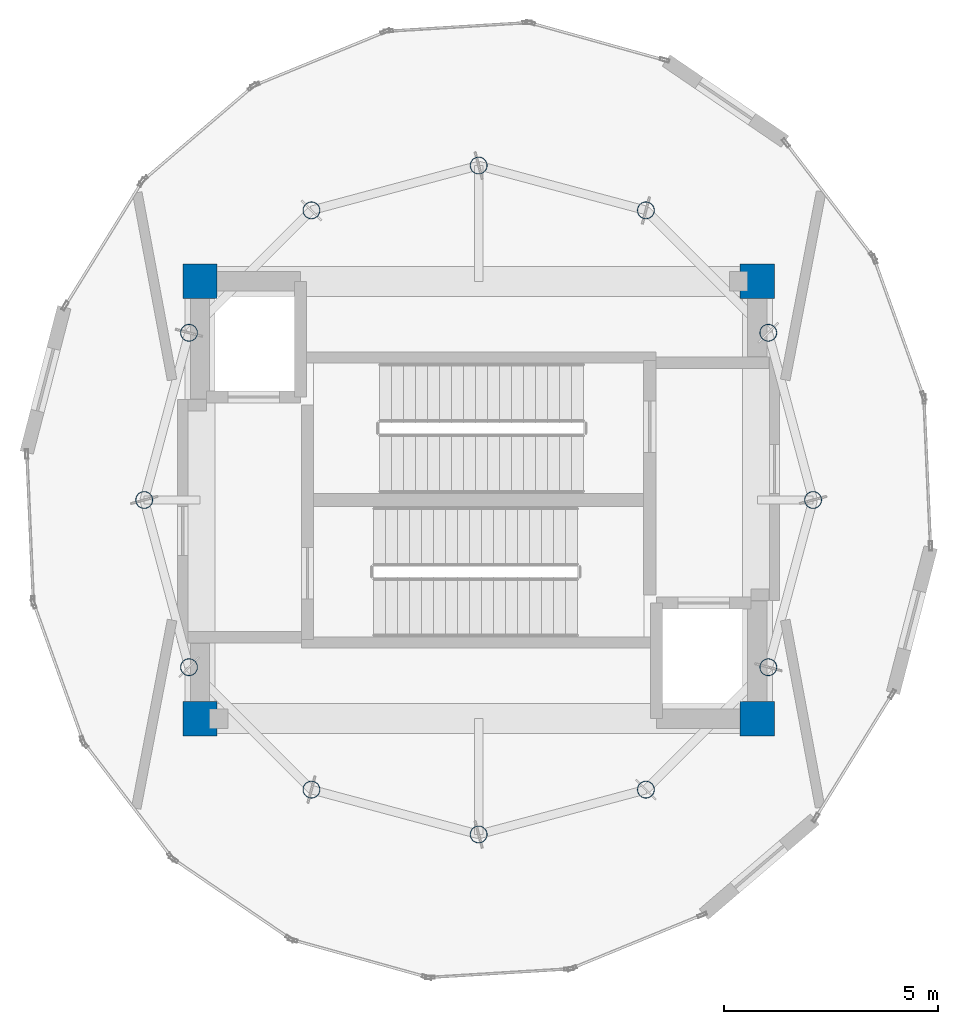
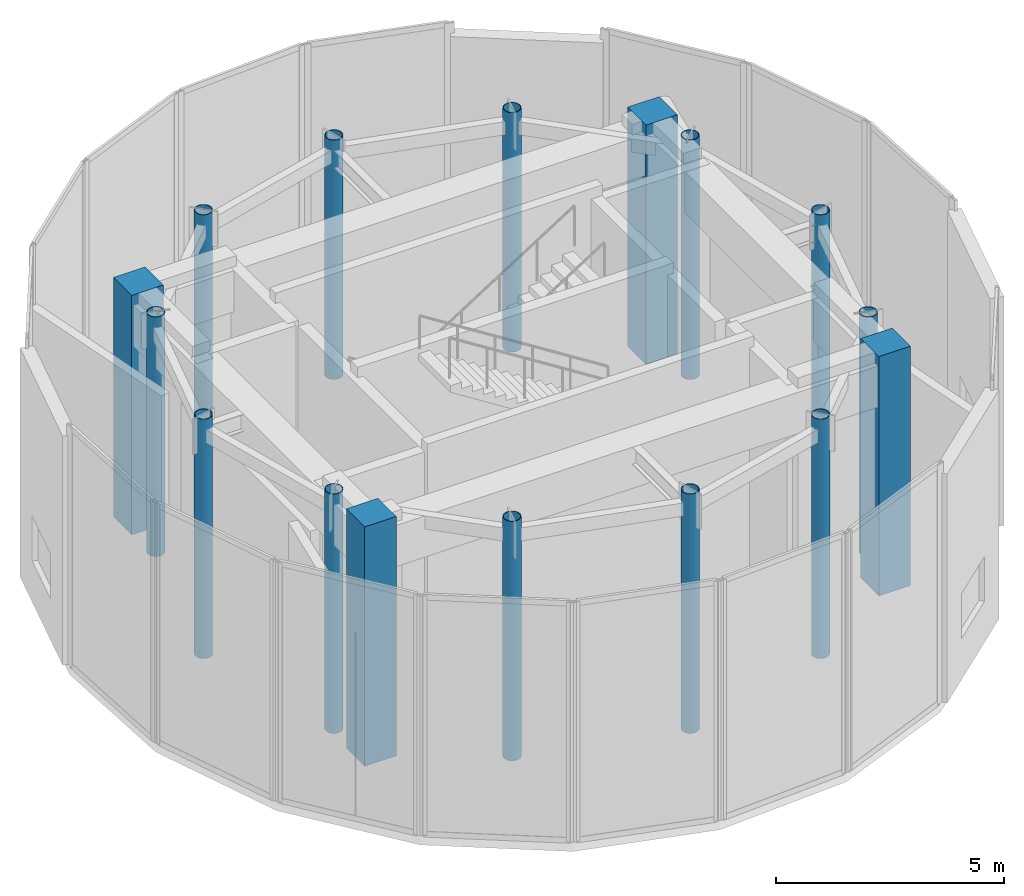
# One storey, part 1 of 8: 16 columns.
"""IFC4 building model written with IfcOpenShell, lengths in metres."""

from ifc_helpers import new_model, si_unit, direction, frame, origin, origin_2d, place, context, subcontext, project, spatial, rectangle, hollow_circle, extrude, material, material_profile, profile_set, type_object, element, save


model = new_model("IFC4")

# Units and contexts
model_context = context("Model", 3, precision=1e-05, world=origin(), true_north=direction((0.0, 1.0)))
body_context = subcontext(model_context, "Body", "Model", "MODEL_VIEW")
ifc_project = project(units=[si_unit("LENGTHUNIT", "METRE"), si_unit("AREAUNIT", "SQUARE_METRE"), si_unit("VOLUMEUNIT", "CUBIC_METRE"), si_unit("PLANEANGLEUNIT", "RADIAN"), si_unit("MASSUNIT", "GRAM", prefix="KILO")], contexts=[model_context])

# Site, building, storey
site_placement = place(None, origin())
site = spatial("IfcSite", under=ifc_project, at=site_placement, CompositionType="ELEMENT")
building_placement = place(site_placement, origin())
building = spatial("IfcBuilding", under=site, at=building_placement, Name="Solvirekh Grand Hotel", CompositionType="ELEMENT")
storey_placement = place(building_placement, frame((0.0, 0.0, 321.0)))
storey = spatial("IfcBuildingStorey", under=building, at=storey_placement, Name="L81", CompositionType="ELEMENT", Elevation=321.0)

# Columns
ifc_material_1 = material(Name="Concrete C50/60", Category="concrete")
ifc_material_profile_1 = material_profile(ifc_material_1, rectangle(XDim=0.800048828125, YDim=0.800048828125, at=origin_2d()), Name="RC 800X800")
ifc_profile_set_1 = profile_set([ifc_material_profile_1], Name="Concrete C50/60")
column_type_1 = type_object("IfcColumnType", Name="Col_Core_800", PredefinedType="COLUMN", material=ifc_profile_set_1)
for number, where, z_axis, x_axis, name in (
    (1, (-6.5, -5.10009765625, 0.0), (0.0, 0.0, 1.0), (1.0, 0.0, 0.0), "L81 core corner column CC1"),
    (2, (6.5, -5.10009765625, 0.0), (0.0, 0.0, 1.0), (1.0, 0.0, 0.0), "L81 core corner column CC2"),
    (3, (6.5, 5.10009765625, 0.0), (0.0, 0.0, 1.0), (1.0, 0.0, 0.0), "L81 core corner column CC3"),
    (4, (-6.5, 5.10009765625, 0.0), (0.0, 0.0, 1.0), (1.0, 0.0, 0.0), "L81 core corner column CC4"),
):
    element("IfcColumn", number, at=place(storey_placement, frame(where, z_axis=z_axis, x_axis=x_axis)), inside=storey, type_object=column_type_1, Name=name, PredefinedType="COLUMN", context=body_context, shape_type="SweptSolid", body=[
        extrude(rectangle(XDim=0.800048828125, YDim=0.800048828125, at=origin_2d()), origin(), (0.0, 0.0, 1.0), 6.39990234375),
    ])
ifc_material_2 = material(Name="Steel S355", Category="steel")
ifc_material_profile_2 = material_profile(ifc_material_2, hollow_circle(Radius=0.202880859375, WallThickness=0.01611328125, at=origin_2d()), Name="CHS 406X16")
ifc_profile_set_2 = profile_set([ifc_material_profile_2], Name="Steel S355")
column_type_2 = type_object("IfcColumnType", Name="Col_Crown_CHS406", PredefinedType="COLUMN", material=ifc_profile_set_2)
for number, where, z_axis, x_axis, name in (
    (5, (7.800048828125, 0.0, 0.0), (0.0, 0.0, 1.0), (1.0, 0.0, 0.0), "L81 perimeter column P01"),
    (6, (6.7548828125, 3.89990234375, 0.0), (0.0, 0.0, 1.0), (1.0, 0.0, 0.0), "L81 perimeter column P02"),
    (7, (3.89990234375, 6.7548828125, 0.0), (0.0, 0.0, 1.0), (1.0, 0.0, 0.0), "L81 perimeter column P03"),
    (8, (0.0, 7.800048828125, 0.0), (0.0, 0.0, 1.0), (1.0, 0.0, 0.0), "L81 perimeter column P04"),
    (9, (-3.89990234375, 6.7548828125, 0.0), (0.0, 0.0, 1.0), (1.0, 0.0, 0.0), "L81 perimeter column P05"),
    (10, (-6.7548828125, 3.89990234375, 0.0), (0.0, 0.0, 1.0), (1.0, 0.0, 0.0), "L81 perimeter column P06"),
    (11, (-7.800048828125, 0.0, 0.0), (0.0, 0.0, 1.0), (1.0, 0.0, 0.0), "L81 perimeter column P07"),
    (12, (-6.7548828125, -3.89990234375, 0.0), (0.0, 0.0, 1.0), (1.0, 0.0, 0.0), "L81 perimeter column P08"),
    (13, (-3.89990234375, -6.7548828125, 0.0), (0.0, 0.0, 1.0), (1.0, 0.0, 0.0), "L81 perimeter column P09"),
    (14, (0.0, -7.800048828125, 0.0), (0.0, 0.0, 1.0), (1.0, 0.0, 0.0), "L81 perimeter column P10"),
    (15, (3.89990234375, -6.7548828125, 0.0), (0.0, 0.0, 1.0), (1.0, 0.0, 0.0), "L81 perimeter column P11"),
    (16, (6.7548828125, -3.89990234375, 0.0), (0.0, 0.0, 1.0), (1.0, 0.0, 0.0), "L81 perimeter column P12"),
):
    element("IfcColumn", number, at=place(storey_placement, frame(where, z_axis=z_axis, x_axis=x_axis)), inside=storey, type_object=column_type_2, Name=name, PredefinedType="COLUMN", context=body_context, shape_type="SweptSolid", body=[
        extrude(hollow_circle(Radius=0.202880859375, WallThickness=0.01611328125, at=origin_2d()), origin(), (0.0, 0.0, 1.0), 6.39990234375),
    ])

save(model, "model.ifc")
